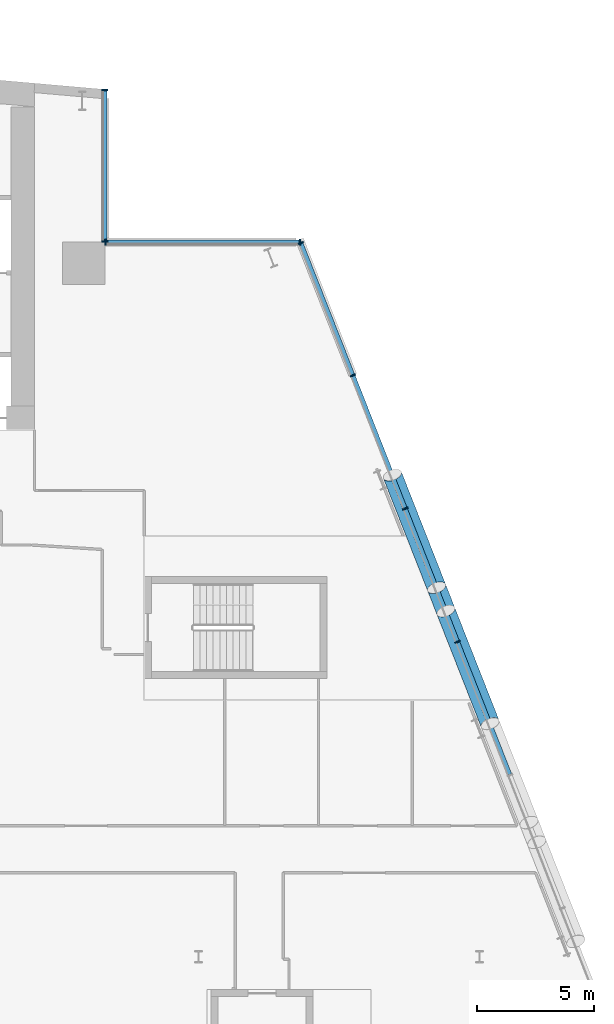
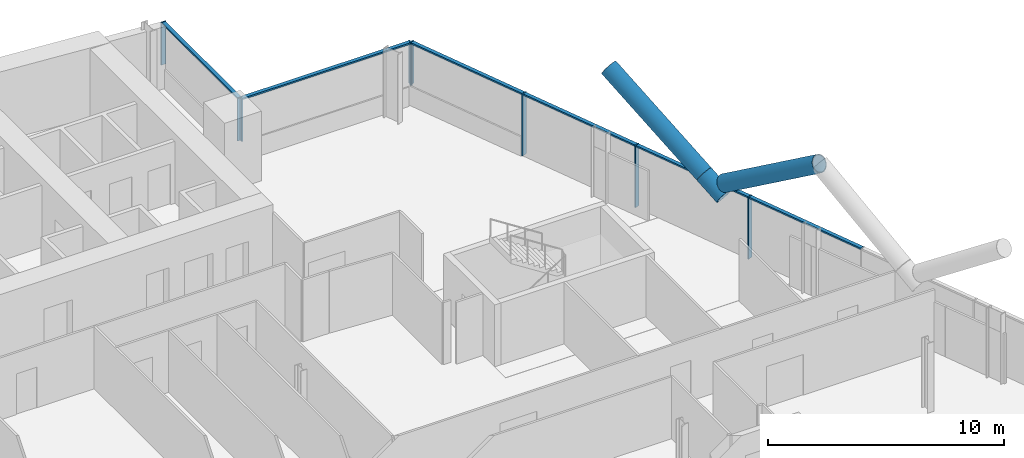
# One storey, part 8 of 26: 17 members, 3 elements without a shape of their own.
"""IFC4 building model written with IfcOpenShell, lengths in metres."""

from ifc_helpers import new_model, si_unit, direction, frame, origin, origin_2d, place, context, subcontext, project, spatial, rectangle, hollow_circle, extrude, material, material_profile, profile_set, type_object, element, aggregate, save


model = new_model("IFC4")

# Units and contexts
model_context = context("Model", 3, precision=1e-05, world=origin(), true_north=direction((0.0, 1.0)))
body_context = subcontext(model_context, "Body", "Model", "MODEL_VIEW")
ifc_project = project(units=[si_unit("LENGTHUNIT", "METRE"), si_unit("AREAUNIT", "SQUARE_METRE"), si_unit("VOLUMEUNIT", "CUBIC_METRE"), si_unit("PLANEANGLEUNIT", "RADIAN"), si_unit("MASSUNIT", "GRAM", prefix="KILO")], contexts=[model_context])

# Site, building, storey
site_placement = place(None, origin())
site = spatial("IfcSite", under=ifc_project, at=site_placement, CompositionType="ELEMENT")
building_placement = place(site_placement, origin())
building = spatial("IfcBuilding", under=site, at=building_placement, Name="Wharfspan Tower", CompositionType="ELEMENT")
storey_placement = place(building_placement, frame((0.0, 0.0, 96.699951)))
storey = spatial("IfcBuildingStorey", under=building, at=storey_placement, Name="L21", CompositionType="ELEMENT", Elevation=96.699951)

# Member
ifc_material_1 = material(Name="Steel S460NH", Category="steel")
ifc_material_profile_1 = material_profile(ifc_material_1, hollow_circle(Radius=0.406494, WallThickness=0.040039, at=origin_2d()))
ifc_profile_set_1 = profile_set([ifc_material_profile_1], Name="Steel S460NH")
member_type_1 = type_object("IfcMemberType", Name="Brace node tie CHS 813x40", PredefinedType="STRUT", material=ifc_profile_set_1)
member_1_placement = place(storey_placement, frame((82.560303, 26.259521, 2.563721), z_axis=(-0.309168, 0.786691, 0.534352), x_axis=(-0.930707, -0.365766, 0.0)))
element("IfcMember", 1, at=member_1_placement, inside=storey, type_object=member_type_1, Name="Brace node tie L21 E5", PredefinedType="STRUT", context=body_context, shape_type="SweptSolid", body=[
    extrude(hollow_circle(Radius=0.406494, WallThickness=0.040039, at=origin_2d()), origin(), (0.0, 0.0, 1.0), 1.258789),
])

# Curtain wall, members
ifc_material_2 = material(Name="Aluminium 6063-T6", Category="aluminium")
curtain_wall_type = type_object("IfcCurtainWallType", Name="CURTAIN WALL PROW AND END", PredefinedType="NOTDEFINED", material=ifc_material_2)
curtain_wall_1_placement = place(storey_placement, origin())
curtain_wall_1 = element("IfcCurtainWall", 2, at=curtain_wall_1_placement, inside=storey, type_object=curtain_wall_type, Name="Curtain wall E", PredefinedType="NOTDEFINED")
ifc_material_profile_2 = material_profile(ifc_material_2, rectangle(XDim=0.23999, YDim=0.060059, at=origin_2d()))
ifc_profile_set_2 = profile_set([ifc_material_profile_2], Name="Aluminium 6063-T6")
member_type_2 = type_object("IfcMemberType", Name="MULLION PROW AND END 60x240", PredefinedType="MULLION", material=ifc_profile_set_2)
member_2_placement = place(storey_placement, frame((83.061768, 24.942871, 0.0), z_axis=(0.0, 0.0, 1.0), x_axis=(-0.930702, -0.365778, 0.0)))
member_2 = element("IfcMember", 3, at=member_2_placement, type_object=member_type_2, Name="Curtain wall E mullion 5", PredefinedType="MULLION", context=body_context, shape_type="SweptSolid", body=[
    extrude(rectangle(XDim=0.23999, YDim=0.060059, at=origin_2d()), origin(), (0.0, 0.0, 1.0), 3.199951),
])
member_3_placement = place(storey_placement, frame((80.827148, 30.628662, 0.0), z_axis=(0.0, 0.0, 1.0), x_axis=(-0.930702, -0.365778, 0.0)))
member_3 = element("IfcMember", 4, at=member_3_placement, type_object=member_type_2, Name="Curtain wall E mullion 6", PredefinedType="MULLION", context=body_context, shape_type="SweptSolid", body=[
    extrude(rectangle(XDim=0.23999, YDim=0.060059, at=origin_2d()), origin(), (0.0, 0.0, 1.0), 3.199951),
])
member_4_placement = place(storey_placement, frame((78.592529, 36.314209, 0.0), z_axis=(0.0, 0.0, 1.0), x_axis=(-0.930702, -0.365778, 0.0)))
member_4 = element("IfcMember", 5, at=member_4_placement, type_object=member_type_2, Name="Curtain wall E mullion 7", PredefinedType="MULLION", context=body_context, shape_type="SweptSolid", body=[
    extrude(rectangle(XDim=0.23999, YDim=0.060059, at=origin_2d()), origin(), (0.0, 0.0, 1.0), 3.199951),
])
member_5_placement = place(storey_placement, frame((76.369141, 41.972168, 1.0), z_axis=(0.0, 0.0, 1.0), x_axis=(-0.930702, -0.365778, 0.0)))
member_5 = element("IfcMember", 6, at=member_5_placement, type_object=member_type_2, Name="Curtain wall E mullion 8", PredefinedType="MULLION", context=body_context, shape_type="SweptSolid", body=[
    extrude(rectangle(XDim=0.23999, YDim=0.060059, at=origin_2d()), origin(), (0.0, 0.0, 1.0), 2.199951),
])

curtain_wall_2_placement = place(storey_placement, origin())
curtain_wall_2 = element("IfcCurtainWall", 7, at=curtain_wall_2_placement, inside=storey, type_object=curtain_wall_type, Name="Curtain wall NRE-H", PredefinedType="NOTDEFINED")
member_6_placement = place(storey_placement, frame((76.328125, 42.0, 1.0), z_axis=(0.0, 0.0, 1.0), x_axis=(0.0, -1.0, 0.0)))
member_6 = element("IfcMember", 8, at=member_6_placement, type_object=member_type_2, Name="Curtain wall NRE-H mullion 1", PredefinedType="MULLION", context=body_context, shape_type="SweptSolid", body=[
    extrude(rectangle(XDim=0.23999, YDim=0.060059, at=origin_2d()), origin(), (0.0, 0.0, 1.0), 2.199951),
])
member_7_placement = place(storey_placement, frame((68.030029, 42.0, 1.0), z_axis=(0.0, 0.0, 1.0), x_axis=(0.0, -1.0, 0.0)))
member_7 = element("IfcMember", 9, at=member_7_placement, type_object=member_type_2, Name="Curtain wall NRE-H mullion 2", PredefinedType="MULLION", context=body_context, shape_type="SweptSolid", body=[
    extrude(rectangle(XDim=0.23999, YDim=0.060059, at=origin_2d()), origin(), (0.0, 0.0, 1.0), 2.199951),
])

curtain_wall_3_placement = place(storey_placement, origin())
curtain_wall_3 = element("IfcCurtainWall", 10, at=curtain_wall_3_placement, inside=storey, type_object=curtain_wall_type, Name="Curtain wall NRE-V", PredefinedType="NOTDEFINED")
member_8_placement = place(storey_placement, frame((68.0, 42.030029, 1.0), z_axis=(0.0, 0.0, 1.0), x_axis=(-1.0, 0.0, 0.0)))
member_8 = element("IfcMember", 11, at=member_8_placement, type_object=member_type_2, Name="Curtain wall NRE-V mullion 1", PredefinedType="MULLION", context=body_context, shape_type="SweptSolid", body=[
    extrude(rectangle(XDim=0.23999, YDim=0.060059, at=origin_2d()), origin(), (0.0, 0.0, 1.0), 2.199951),
])
member_9_placement = place(storey_placement, frame((68.0, 48.494873, 1.0), z_axis=(0.0, 0.0, 1.0), x_axis=(-1.0, 0.0, 0.0)))
member_9 = element("IfcMember", 12, at=member_9_placement, type_object=member_type_2, Name="Curtain wall NRE-V mullion 2", PredefinedType="MULLION", context=body_context, shape_type="SweptSolid", body=[
    extrude(rectangle(XDim=0.23999, YDim=0.060059, at=origin_2d()), origin(), (0.0, 0.0, 1.0), 2.199951),
])

# Members
ifc_material_profile_3 = material_profile(ifc_material_1, hollow_circle(Radius=0.406494, WallThickness=0.040039, at=origin_2d()))
ifc_profile_set_3 = profile_set([ifc_material_profile_3], Name="Steel S460NH")
member_type_3 = type_object("IfcMemberType", Name="Mega brace CHS 813x40", PredefinedType="BRACE", material=ifc_profile_set_3)
member_10_placement = place(storey_placement, frame((82.168213, 27.257812, 3.241699), z_axis=(-0.309223, 0.786709, 0.534294), x_axis=(-0.930685, -0.365812, -3e-06)))
element("IfcMember", 13, at=member_10_placement, inside=storey, type_object=member_type_3, Name="Mega brace E5 L21 part 2", PredefinedType="BRACE", context=body_context, shape_type="SweptSolid", body=[
    extrude(hollow_circle(Radius=0.406494, WallThickness=0.040039, at=origin_2d()), origin(), (0.0, 0.0, 1.0), 6.098389),
])
member_11_placement = place(storey_placement, frame((82.563477, 26.251709, 3.241699), z_axis=(0.309187, -0.786719, 0.534301), x_axis=(0.930704, 0.365777, 4e-06)))
element("IfcMember", 14, at=member_11_placement, inside=storey, type_object=member_type_3, Name="Mega brace E5 L21 part 4", PredefinedType="BRACE", context=body_context, shape_type="SweptSolid", body=[
    extrude(hollow_circle(Radius=0.406494, WallThickness=0.040039, at=origin_2d()), origin(), (0.0, 0.0, 1.0), 6.098145),
])

# Member
ifc_material_profile_4 = material_profile(ifc_material_2, rectangle(XDim=0.179932, YDim=0.080078, at=origin_2d()))
ifc_profile_set_4 = profile_set([ifc_material_profile_4], Name="Aluminium 6063-T6")
member_type_4 = type_object("IfcMemberType", Name="TRANSOM PROW AND END 80x180", PredefinedType="USERDEFINED", material=ifc_profile_set_4)
member_12_placement = place(storey_placement, frame((85.2854, 19.285156, 3.160156), z_axis=(-0.365782, 0.9307, 0.0), x_axis=(-0.9307, -0.365782, 0.0)))
member_12 = element("IfcMember", 15, at=member_12_placement, type_object=member_type_4, Name="Curtain wall E transom 4", ObjectType="TRANSOM", PredefinedType="USERDEFINED", context=body_context, shape_type="SweptSolid", body=[
    extrude(rectangle(XDim=0.179932, YDim=0.080078, at=origin_2d()), origin(), (0.0, 0.0, 1.0), 6.049072),
])

member_13_placement = place(storey_placement, frame((83.050781, 24.970703, 3.160156), z_axis=(-0.365782, 0.9307, 0.0), x_axis=(-0.9307, -0.365782, 0.0)))
member_13 = element("IfcMember", 16, at=member_13_placement, type_object=member_type_4, Name="Curtain wall E transom 5", ObjectType="TRANSOM", PredefinedType="USERDEFINED", context=body_context, shape_type="SweptSolid", body=[
    extrude(rectangle(XDim=0.179932, YDim=0.080078, at=origin_2d()), origin(), (0.0, 0.0, 1.0), 6.049072),
])

member_14_placement = place(storey_placement, frame((80.816162, 30.656494, 3.160156), z_axis=(-0.365782, 0.9307, 0.0), x_axis=(-0.9307, -0.365782, 0.0)))
member_14 = element("IfcMember", 17, at=member_14_placement, type_object=member_type_4, Name="Curtain wall E transom 6", ObjectType="TRANSOM", PredefinedType="USERDEFINED", context=body_context, shape_type="SweptSolid", body=[
    extrude(rectangle(XDim=0.179932, YDim=0.080078, at=origin_2d()), origin(), (0.0, 0.0, 1.0), 6.049072),
])

member_15_placement = place(storey_placement, frame((78.581787, 36.342285, 3.160156), z_axis=(-0.365789, 0.930698, 0.0), x_axis=(-0.930698, -0.365789, 0.0)))
member_15 = element("IfcMember", 18, at=member_15_placement, type_object=member_type_4, Name="Curtain wall E transom 7", ObjectType="TRANSOM", PredefinedType="USERDEFINED", context=body_context, shape_type="SweptSolid", body=[
    extrude(rectangle(XDim=0.179932, YDim=0.080078, at=origin_2d()), origin(), (0.0, 0.0, 1.0), 6.019043),
])

aggregate(curtain_wall_1, [member_2, member_3, member_4, member_5, member_12, member_13, member_14, member_15])

member_16_placement = place(storey_placement, frame((76.298096, 42.0, 3.160156), z_axis=(-1.0, 0.0, 0.0), x_axis=(0.0, -1.0, 0.0)))
member_16 = element("IfcMember", 19, at=member_16_placement, type_object=member_type_4, Name="Curtain wall NRE-H transom 1", ObjectType="TRANSOM", PredefinedType="USERDEFINED", context=body_context, shape_type="SweptSolid", body=[
    extrude(rectangle(XDim=0.179932, YDim=0.080078, at=origin_2d()), origin(), (0.0, 0.0, 1.0), 8.238037),
])

aggregate(curtain_wall_2, [member_6, member_7, member_16])

member_17_placement = place(storey_placement, frame((68.0, 42.060059, 3.160156), z_axis=(0.0, 1.0, 0.0), x_axis=(-1.0, 0.0, 0.0)))
member_17 = element("IfcMember", 20, at=member_17_placement, type_object=member_type_4, Name="Curtain wall NRE-V transom 1", ObjectType="TRANSOM", PredefinedType="USERDEFINED", context=body_context, shape_type="SweptSolid", body=[
    extrude(rectangle(XDim=0.179932, YDim=0.080078, at=origin_2d()), origin(), (0.0, 0.0, 1.0), 6.404785),
])

aggregate(curtain_wall_3, [member_8, member_9, member_17])

save(model, "model.ifc")
